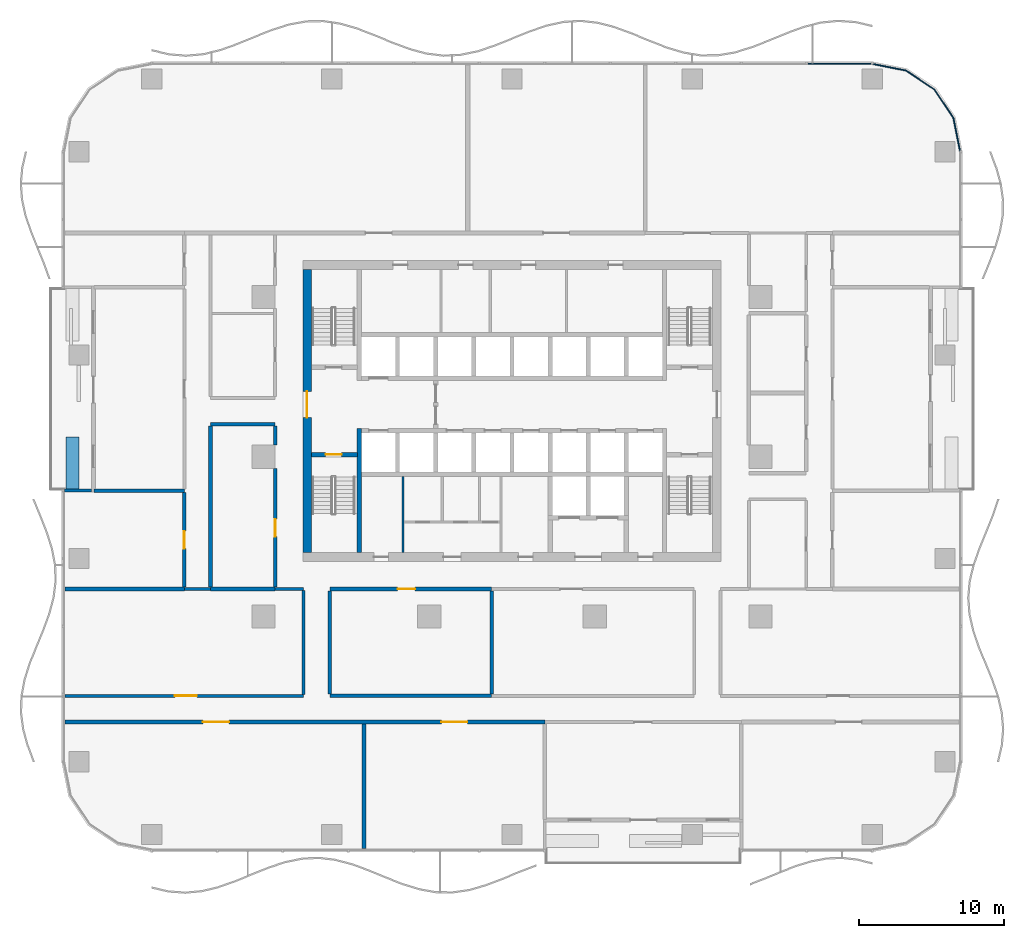
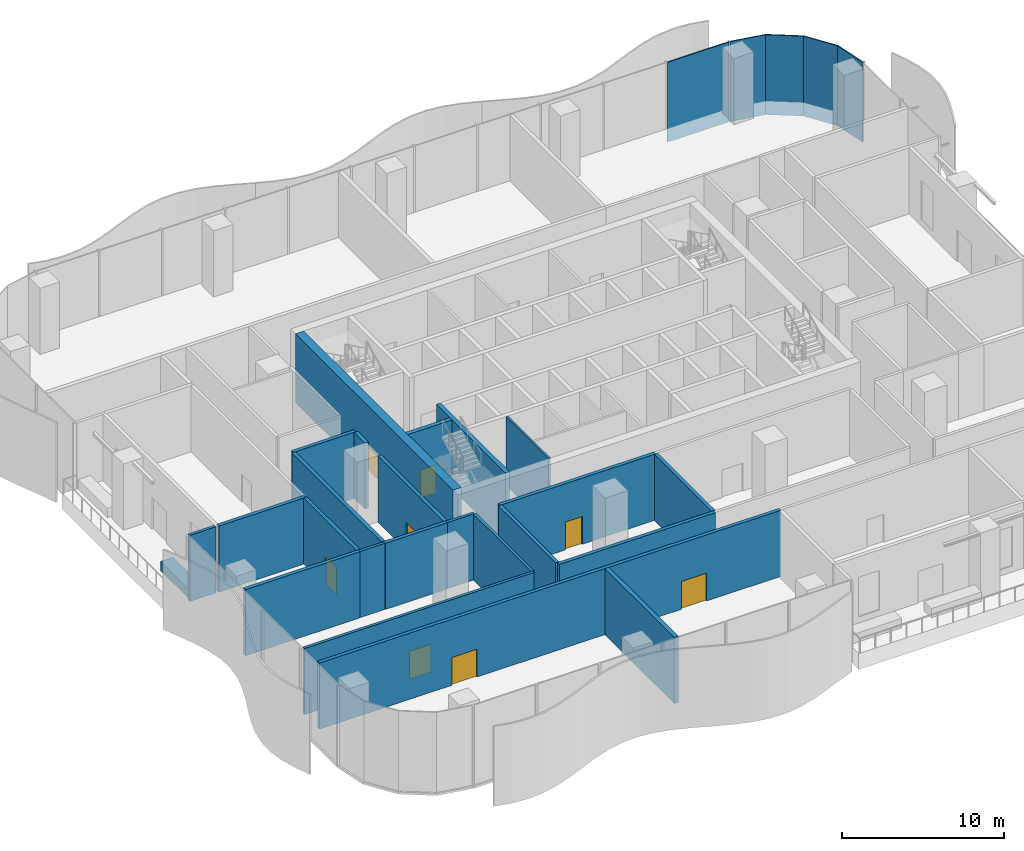
# One storey, part 7 of 21: 24 walls, 8 doors, 2 plates, 8 openings, 2 elements without a shape of their own.
"""IFC4 building model written with IfcOpenShell, lengths in metres."""

from ifc_helpers import new_model, si_unit, direction, frame, frame_2d, origin, origin_2d, place, context, subcontext, project, spatial, polyline, rectangle, outline, extrude, material, layer, layer_set, type_object, element, fill, aggregate, save


model = new_model("IFC4")

# Units and contexts
model_context = context("Model", 3, precision=1e-05, world=origin(), true_north=direction((0.0, 1.0)))
body_context = subcontext(model_context, "Body", "Model", "MODEL_VIEW")
ifc_project = project(units=[si_unit("LENGTHUNIT", "METRE"), si_unit("AREAUNIT", "SQUARE_METRE"), si_unit("VOLUMEUNIT", "CUBIC_METRE"), si_unit("PLANEANGLEUNIT", "RADIAN"), si_unit("MASSUNIT", "GRAM", prefix="KILO")], contexts=[model_context])

# Site, building, storey
site_placement = place(None, origin())
site = spatial("IfcSite", under=ifc_project, at=site_placement, CompositionType="ELEMENT")
building_placement = place(site_placement, origin())
building = spatial("IfcBuilding", under=site, at=building_placement, Name="Mopane Tessera Tower", CompositionType="ELEMENT")
storey_placement = place(building_placement, frame((0.0, 0.0, 9.0)))
storey = spatial("IfcBuildingStorey", under=building, at=storey_placement, Name="L01", CompositionType="ELEMENT", Elevation=9.0)

# Curtain wall, plate
ifc_material_1 = material(Name="Aluminium frame", Category="aluminium")
curtain_wall_type = type_object("IfcCurtainWallType", Name="Podium unitised wall", PredefinedType="NOTDEFINED", material=ifc_material_1)
curtain_wall_1_placement = place(storey_placement, origin())
curtain_wall_1 = element("IfcCurtainWall", 1, at=curtain_wall_1_placement, inside=storey, type_object=curtain_wall_type, Name="e:cw:L01:CE", PredefinedType="NOTDEFINED")
ifc_material_2 = material(Name="Limestone spandrel", Category="masonry")
ifc_layer_1 = layer(ifc_material_2, 0.080078125)
ifc_layer_set_1 = layer_set([ifc_layer_1], Name="Limestone spandrel")
plate_type = type_object("IfcPlateType", Name="Podium stone spandrel unit", PredefinedType="CURTAIN_PANEL", material=ifc_layer_set_1)
plate_1_placement = place(storey_placement, frame((0.0, 0.0, -1.0400390625)))
plate_1 = element("IfcPlate", 2, at=plate_1_placement, type_object=plate_type, Name="e:cw:L01:CE:pn", PredefinedType="CURTAIN_PANEL", context=body_context, shape_type="SweptSolid", body=[
    extrude(outline(polyline([(30.800048828125, 21.0), (30.34326171875, 23.296142578125), (29.042724609375, 25.24267578125), (27.09619140625, 26.543212890625), (24.800048828125, 27.0), (24.800048828125, 27.080078125), (27.126708984375, 26.6171875), (29.09912109375, 25.29931640625), (30.417236328125, 23.32666015625), (30.8798828125, 21.0), (30.800048828125, 21.0)])), origin(), (0.0, 0.0, 1.0), 6.0400390625),
])
aggregate(curtain_wall_1, [plate_1])

curtain_wall_2_placement = place(storey_placement, origin())
curtain_wall_2 = element("IfcCurtainWall", 3, at=curtain_wall_2_placement, inside=storey, type_object=curtain_wall_type, Name="e:cw:L01:N:0", PredefinedType="NOTDEFINED")
plate_2_placement = place(storey_placement, frame((22.54541015625, 27.0400390625, -1.0400390625), z_axis=(0.0, 0.0, 1.0), x_axis=(-1.0, 0.0, 0.0)))
plate_2 = element("IfcPlate", 4, at=plate_2_placement, type_object=plate_type, Name="e:cw:L01:N:0:pn0", PredefinedType="CURTAIN_PANEL", context=body_context, shape_type="SweptSolid", body=[
    extrude(rectangle(XDim=4.384033203125, YDim=0.080078125, at=origin_2d()), origin(), (0.0, 0.0, 1.0), 6.0400390625),
])
aggregate(curtain_wall_2, [plate_2])

# Wall
ifc_material_3 = material(Name="Fire-rated gypsum board partition")
ifc_layer_2 = layer(ifc_material_3, 0.14990234375)
ifc_layer_set_2 = layer_set([ifc_layer_2], Name="Fire-rated gypsum board partition")
wall_type_1 = type_object("IfcWallType", Name="Core room partition 150 mm", PredefinedType="PARTITIONING", material=ifc_layer_set_2)
wall_1_placement = place(storey_placement, frame((-7.5, -6.60009765625, 0.0), z_axis=(0.0, 0.0, 1.0), x_axis=(0.0, 1.0, 0.0)))
element("IfcWall", 5, at=wall_1_placement, inside=storey, type_object=wall_type_1, Name="L01 Room partition", PredefinedType="PARTITIONING", context=body_context, shape_type="SweptSolid", body=[
    extrude(rectangle(XDim=5.25, YDim=0.14990234375, at=frame_2d((2.625, 0.0))), origin(), (0.0, 0.0, 1.0), 5.199951171875),
])

# Wall, opening, door
ifc_material_4 = material(Name="Concrete C70/85", Category="concrete")
ifc_layer_3 = layer(ifc_material_4, 0.60009765625)
ifc_layer_set_3 = layer_set([ifc_layer_3], Name="Concrete C70/85")
wall_type_2 = type_object("IfcWallType", Name="Core shear wall 600 mm", PredefinedType="SHEAR", material=ifc_layer_set_3)
wall_2_placement = place(storey_placement, frame((-14.10009765625, -6.60009765625, 0.0), z_axis=(0.0, 0.0, 1.0), x_axis=(0.0, 1.0, 0.0)))
wall_2 = element("IfcWall", 6, at=wall_2_placement, inside=storey, type_object=wall_type_2, Name="L01 Core wall west", PredefinedType="SHEAR", context=body_context, shape_type="SweptSolid", body=[
    extrude(rectangle(XDim=19.5, YDim=0.60009765625, at=frame_2d((9.75, 0.0))), origin(), (0.0, 0.0, 1.0), 5.199951171875),
])
opening_1_placement = place(wall_2_placement, frame((9.300048828125, 0.0, 0.0)))
opening_1 = element("IfcOpeningElement", 7, at=opening_1_placement, cuts=wall_2, Name="Opening SD2", PredefinedType="OPENING", context=body_context, shape_type="SweptSolid", body=[
    extrude(rectangle(XDim=1.800048828125, YDim=2.10009765625, at=frame_2d((0.89990234375, 1.050048828125))), frame((0.0, 0.31201171875, 0.0), z_axis=(0.0, -1.0, 0.0), x_axis=(1.0, 0.0, 0.0)), (0.0, 0.0, 1.0), 0.6240234375),
])
ifc_material_5 = material(Name="Steel fire door", Category="steel")
door_type_1 = type_object("IfcDoorType", Name="Core entrance double door 1800 x 2100", OperationType="DOUBLE_DOOR_SINGLE_SWING", PredefinedType="DOOR", material=ifc_material_5)
door_1_placement = place(opening_1_placement, origin())
door_1 = element("IfcDoor", 8, at=door_1_placement, inside=storey, type_object=door_type_1, Name="L01 Core entrance door west", OperationType="DOUBLE_DOOR_SINGLE_SWING", OverallHeight=2.10009765625, OverallWidth=1.800048828125, PredefinedType="DOOR", context=body_context, shape_type="SweptSolid", body=[
    extrude(rectangle(XDim=1.800048828125, YDim=2.10009765625, at=frame_2d((0.89990234375, 1.050048828125))), frame((0.0, 0.02490234375, 0.0), z_axis=(0.0, -1.0, 0.0), x_axis=(1.0, 0.0, 0.0)), (0.0, 0.0, 1.0), 0.050048828125),
])
fill(opening_1, door_1)

# Wall
ifc_material_6 = material(Name="Concrete C60/75", Category="concrete")
ifc_layer_4 = layer(ifc_material_6, 0.300048828125)
ifc_layer_set_4 = layer_set([ifc_layer_4], Name="Concrete C60/75")
wall_type_3 = type_object("IfcWallType", Name="Core spine wall 300 mm", PredefinedType="SHEAR", material=ifc_layer_set_4)
wall_3_placement = place(storey_placement, frame((-10.5, -6.60009765625, 0.0), z_axis=(0.0, 0.0, 1.0), x_axis=(0.0, 1.0, 0.0)))
element("IfcWall", 9, at=wall_3_placement, inside=storey, type_object=wall_type_3, Name="L01 Core spine wall", PredefinedType="SHEAR", context=body_context, shape_type="SweptSolid", body=[
    extrude(rectangle(XDim=8.550048828125, YDim=0.300048828125, at=frame_2d((4.27490234375, 0.0))), origin(), (0.0, 0.0, 1.0), 5.199951171875),
])

# Wall, opening, door
ifc_material_7 = material(Name="Gypsum board on steel studs, two layers each face, mineral wool infill", Category="steel")
ifc_layer_5 = layer(ifc_material_7, 0.199951171875)
ifc_layer_set_5 = layer_set([ifc_layer_5], Name="Gypsum board on steel studs, two layers each face, mineral wool infill")
wall_type_4 = type_object("IfcWallType", Name="Gypsum board corridor wall 200, rated EI 60", PredefinedType="PARTITIONING", material=ifc_layer_set_5)
wall_4_placement = place(storey_placement, frame((-30.75, -16.449951171875, 0.0), z_axis=(0.0, 0.0, 1.0), x_axis=(1.0, 0.0, 0.0)))
wall_4 = element("IfcWall", 10, at=wall_4_placement, inside=storey, type_object=wall_type_4, Name="Partition L01:003", PredefinedType="PARTITIONING", context=body_context, shape_type="SweptSolid", body=[
    extrude(rectangle(XDim=16.409912109375, YDim=0.199951171875, at=frame_2d((8.205078125, 0.0))), origin(), (0.0, 0.0, 1.0), 5.0),
])
opening_2_placement = place(wall_4_placement, frame((7.554931640625, 0.0, 0.0)))
opening_2 = element("IfcOpeningElement", 11, at=opening_2_placement, cuts=wall_4, Name="Opening L01-15", PredefinedType="OPENING", context=body_context, shape_type="SweptSolid", body=[
    extrude(rectangle(XDim=1.5, YDim=2.10009765625, at=frame_2d((0.75, 1.050048828125))), frame((0.0, 0.112060546875, 0.0), z_axis=(0.0, -1.0, 0.0), x_axis=(1.0, 0.0, 0.0)), (0.0, 0.0, 1.0), 0.223876953125),
])
ifc_material_8 = material(Name="Timber veneered steel-framed fire door", Category="steel")
door_type_2 = type_object("IfcDoorType", Name="Fire door pair FD60 1500 x 2100", OperationType="DOUBLE_DOOR_SINGLE_SWING", PredefinedType="DOOR", material=ifc_material_8)
door_2_placement = place(opening_2_placement, origin())
door_2 = element("IfcDoor", 12, at=door_2_placement, inside=storey, type_object=door_type_2, Name="Door L01-15", ObjectType="D17A", OperationType="DOUBLE_DOOR_SINGLE_SWING", OverallHeight=2.10009765625, OverallWidth=1.5, PredefinedType="DOOR", context=body_context, shape_type="SweptSolid", body=[
    extrude(rectangle(XDim=1.5, YDim=2.10009765625, at=frame_2d((0.75, 1.050048828125))), frame((0.0, 0.02490234375, 0.0), z_axis=(0.0, -1.0, 0.0), x_axis=(1.0, 0.0, 0.0)), (0.0, 0.0, 1.0), 0.050048828125),
])
fill(opening_2, door_2)

# Walls
wall_5_placement = place(storey_placement, frame((-22.550048828125, -9.10009765625, 0.0), z_axis=(0.0, 0.0, 1.0), x_axis=(1.0, 0.0, 0.0)))
element("IfcWall", 13, at=wall_5_placement, inside=storey, type_object=wall_type_4, Name="Partition L01:008", PredefinedType="PARTITIONING", context=body_context, shape_type="SweptSolid", body=[
    extrude(rectangle(XDim=1.800048828125, YDim=0.199951171875, at=frame_2d((0.89990234375, 0.0))), origin(), (0.0, 0.0, 1.0), 5.0),
])
wall_6_placement = place(storey_placement, frame((-16.300048828125, -9.10009765625, 0.0), z_axis=(0.0, 0.0, 1.0), x_axis=(1.0, 0.0, 0.0)))
element("IfcWall", 14, at=wall_6_placement, inside=storey, type_object=wall_type_4, Name="Partition L01:009", PredefinedType="PARTITIONING", context=body_context, shape_type="SweptSolid", body=[
    extrude(rectangle(XDim=1.9599609375, YDim=0.199951171875, at=frame_2d((0.97998046875, 0.0))), origin(), (0.0, 0.0, 1.0), 5.0),
])
wall_7_placement = place(storey_placement, frame((-14.340087890625, -16.35009765625, 0.0), z_axis=(0.0, 0.0, 1.0), x_axis=(0.0, 1.0, 0.0)))
element("IfcWall", 15, at=wall_7_placement, inside=storey, type_object=wall_type_4, Name="Partition L01:043", PredefinedType="PARTITIONING", context=body_context, shape_type="SweptSolid", body=[
    extrude(rectangle(XDim=7.150146484375, YDim=0.199951171875, at=frame_2d((3.5751953125, 0.0))), origin(), (0.0, 0.0, 1.0), 5.0),
])

# Wall, opening, door
ifc_material_9 = material(Name="Concrete C50/60", Category="concrete")
ifc_layer_6 = layer(ifc_material_9, 0.300048828125)
ifc_layer_set_6 = layer_set([ifc_layer_6], Name="Concrete C50/60")
wall_type_5 = type_object("IfcWallType", Name="Lift and stair shaft wall 300 mm", PredefinedType="SOLIDWALL", material=ifc_layer_set_6)
wall_8_placement = place(storey_placement, frame((-13.800048828125, 0.14990234375, 0.0), z_axis=(0.0, 0.0, 1.0), x_axis=(1.0, 0.0, 0.0)))
wall_8 = element("IfcWall", 16, at=wall_8_placement, inside=storey, type_object=wall_type_5, Name="L01 Stair enclosure wall", PredefinedType="SOLIDWALL", context=body_context, shape_type="SweptSolid", body=[
    extrude(rectangle(XDim=3.150146484375, YDim=0.300048828125, at=frame_2d((1.5751953125, 0.0))), origin(), (0.0, 0.0, 1.0), 5.199951171875),
])
opening_3_placement = place(wall_8_placement, frame((0.97509765625, 0.0, 0.0)))
opening_3 = element("IfcOpeningElement", 17, at=opening_3_placement, cuts=wall_8, Name="Opening SD1", PredefinedType="OPENING", context=body_context, shape_type="SweptSolid", body=[
    extrude(rectangle(XDim=1.10009765625, YDim=2.10009765625, at=frame_2d((0.550048828125, 1.050048828125))), frame((0.0, 0.162109375, 0.0), z_axis=(0.0, -1.0, 0.0), x_axis=(1.0, 0.0, 0.0)), (0.0, 0.0, 1.0), 0.323974609375),
])
ifc_material_10 = material(Name="Steel fire door", Category="steel")
door_type_3 = type_object("IfcDoorType", Name="Stair fire door 1100 x 2100", OperationType="SINGLE_SWING_LEFT", PredefinedType="DOOR", material=ifc_material_10)
door_3_placement = place(opening_3_placement, origin())
door_3 = element("IfcDoor", 18, at=door_3_placement, inside=storey, type_object=door_type_3, Name="L01 Stair door ST1", OperationType="SINGLE_SWING_LEFT", OverallHeight=2.10009765625, OverallWidth=1.10009765625, PredefinedType="DOOR", context=body_context, shape_type="SweptSolid", body=[
    extrude(rectangle(XDim=1.10009765625, YDim=2.10009765625, at=frame_2d((0.550048828125, 1.050048828125))), frame((0.0, 0.02490234375, 0.0), z_axis=(0.0, -1.0, 0.0), x_axis=(1.0, 0.0, 0.0)), (0.0, 0.0, 1.0), 0.050048828125),
])
fill(opening_3, door_3)

# Walls
ifc_material_11 = material(Name="Reinforced concrete C32/40 with waterproofing", Category="concrete")
ifc_layer_7 = layer(ifc_material_11, 0.89990234375)
ifc_layer_set_7 = layer_set([ifc_layer_7], Name="Reinforced concrete C32/40 with waterproofing")
wall_type_6 = type_object("IfcWallType", Name="Planter trough 3600 x 900", PredefinedType="STANDARD", material=ifc_layer_set_7)
wall_9_placement = place(storey_placement, frame((-30.25, 1.36669921875, 0.0), z_axis=(0.0, 0.0, 1.0), x_axis=(0.0, -1.0, 0.0)))
element("IfcWall", 19, at=wall_9_placement, inside=storey, type_object=wall_type_6, Name="e:nw:L01:N3:pl1", PredefinedType="STANDARD", context=body_context, shape_type="SweptSolid", body=[
    extrude(rectangle(XDim=3.60009765625, YDim=0.89990234375, at=frame_2d((1.800048828125, 0.0))), origin(), (0.0, 0.0, 1.0), 0.699951171875),
])
ifc_material_12 = material(Name="Plastered concrete blockwork C20/25", Category="masonry")
ifc_layer_8 = layer(ifc_material_12, 0.300048828125)
ifc_layer_set_8 = layer_set([ifc_layer_8], Name="Plastered concrete blockwork C20/25")
wall_type_7 = type_object("IfcWallType", Name="Plastered blockwork separation wall 300, rated EI 120", PredefinedType="PARTITIONING", material=ifc_layer_set_8)
wall_10_placement = place(storey_placement, frame((-10.18505859375, -26.949951171875, 0.0), z_axis=(0.0, 0.0, 1.0), x_axis=(0.0, 1.0, 0.0)))
element("IfcWall", 20, at=wall_10_placement, inside=storey, type_object=wall_type_7, Name="Partition L01:045", PredefinedType="PARTITIONING", context=body_context, shape_type="SweptSolid", body=[
    extrude(rectangle(XDim=8.574951171875, YDim=0.300048828125, at=frame_2d((4.28759765625, 0.0))), origin(), (0.0, 0.0, 1.0), 5.0),
])

# Wall, openings, doors
ifc_material_13 = material(Name="Plastered concrete blockwork C20/25", Category="masonry")
ifc_layer_9 = layer(ifc_material_13, 0.25)
ifc_layer_set_9 = layer_set([ifc_layer_9], Name="Plastered concrete blockwork C20/25")
wall_type_8 = type_object("IfcWallType", Name="Plastered blockwork wall 250, rated EI 120", PredefinedType="PARTITIONING", material=ifc_layer_set_9)
wall_11_placement = place(storey_placement, frame((-30.75, -18.25, 0.0), z_axis=(0.0, 0.0, 1.0), x_axis=(1.0, 0.0, 0.0)))
wall_11 = element("IfcWall", 21, at=wall_11_placement, inside=storey, type_object=wall_type_8, Name="Partition L01:001", PredefinedType="PARTITIONING", context=body_context, shape_type="SweptSolid", body=[
    extrude(rectangle(XDim=33.0048828125, YDim=0.25, at=frame_2d((16.50244140625, 0.0))), origin(), (0.0, 0.0, 1.0), 5.0),
])
opening_4_placement = place(wall_11_placement, frame((9.482421875, 0.0, 0.0)))
opening_4 = element("IfcOpeningElement", 22, at=opening_4_placement, cuts=wall_11, Name="Opening L01-02", PredefinedType="OPENING", context=body_context, shape_type="SweptSolid", body=[
    extrude(rectangle(XDim=1.800048828125, YDim=2.10009765625, at=frame_2d((0.89990234375, 1.050048828125))), frame((0.0, 0.136962890625, 0.0), z_axis=(0.0, -1.0, 0.0), x_axis=(1.0, 0.0, 0.0)), (0.0, 0.0, 1.0), 0.27392578125),
])
opening_5_placement = place(wall_11_placement, frame((25.885009765625, 0.0, 0.0)))
opening_5 = element("IfcOpeningElement", 23, at=opening_5_placement, cuts=wall_11, Name="Opening L01-06", PredefinedType="OPENING", context=body_context, shape_type="SweptSolid", body=[
    extrude(rectangle(XDim=1.800048828125, YDim=2.10009765625, at=frame_2d((0.89990234375, 1.050048828125))), frame((0.0, 0.136962890625, 0.0), z_axis=(0.0, -1.0, 0.0), x_axis=(1.0, 0.0, 0.0)), (0.0, 0.0, 1.0), 0.27392578125),
])
ifc_material_14 = material(Name="Timber veneered steel-framed fire door", Category="steel")
door_type_4 = type_object("IfcDoorType", Name="Fire door pair FD120 1800 x 2100", OperationType="DOUBLE_DOOR_SINGLE_SWING", PredefinedType="DOOR", material=ifc_material_14)
door_4_placement = place(opening_4_placement, origin())
door_4 = element("IfcDoor", 24, at=door_4_placement, inside=storey, type_object=door_type_4, Name="Door L01-02", ObjectType="D20B", OperationType="DOUBLE_DOOR_SINGLE_SWING", OverallHeight=2.10009765625, OverallWidth=1.800048828125, PredefinedType="DOOR", context=body_context, shape_type="SweptSolid", body=[
    extrude(rectangle(XDim=1.800048828125, YDim=2.10009765625, at=frame_2d((0.89990234375, 1.050048828125))), frame((0.0, 0.02490234375, 0.0), z_axis=(0.0, -1.0, 0.0), x_axis=(1.0, 0.0, 0.0)), (0.0, 0.0, 1.0), 0.050048828125),
])
fill(opening_4, door_4)
door_5_placement = place(opening_5_placement, origin())
door_5 = element("IfcDoor", 25, at=door_5_placement, inside=storey, type_object=door_type_4, Name="Door L01-06", ObjectType="D20B", OperationType="DOUBLE_DOOR_SINGLE_SWING", OverallHeight=2.10009765625, OverallWidth=1.800048828125, PredefinedType="DOOR", context=body_context, shape_type="SweptSolid", body=[
    extrude(rectangle(XDim=1.800048828125, YDim=2.10009765625, at=frame_2d((0.89990234375, 1.050048828125))), frame((0.0, 0.02490234375, 0.0), z_axis=(0.0, -1.0, 0.0), x_axis=(1.0, 0.0, 0.0)), (0.0, 0.0, 1.0), 0.050048828125),
])
fill(opening_5, door_5)

# Walls
wall_12_placement = place(storey_placement, frame((-12.5400390625, -16.449951171875, 0.0), z_axis=(0.0, 0.0, 1.0), x_axis=(1.0, 0.0, 0.0)))
element("IfcWall", 26, at=wall_12_placement, inside=storey, type_object=wall_type_8, Name="Partition L01:006", PredefinedType="PARTITIONING", context=body_context, shape_type="SweptSolid", body=[
    extrude(rectangle(XDim=11.14501953125, YDim=0.25, at=frame_2d((5.572509765625, 0.0))), origin(), (0.0, 0.0, 1.0), 5.0),
])
wall_13_placement = place(storey_placement, frame((-30.75, -9.10009765625, 0.0), z_axis=(0.0, 0.0, 1.0), x_axis=(1.0, 0.0, 0.0)))
element("IfcWall", 27, at=wall_13_placement, inside=storey, type_object=wall_type_8, Name="Partition L01:013", PredefinedType="PARTITIONING", context=body_context, shape_type="SweptSolid", body=[
    extrude(rectangle(XDim=8.199951171875, YDim=0.25, at=frame_2d((4.10009765625, 0.0))), origin(), (0.0, 0.0, 1.0), 5.0),
])
wall_14_placement = place(storey_placement, frame((-20.75, -9.10009765625, 0.0), z_axis=(0.0, 0.0, 1.0), x_axis=(1.0, 0.0, 0.0)))
element("IfcWall", 28, at=wall_14_placement, inside=storey, type_object=wall_type_8, Name="Partition L01:014", PredefinedType="PARTITIONING", context=body_context, shape_type="SweptSolid", body=[
    extrude(rectangle(XDim=4.449951171875, YDim=0.25, at=frame_2d((2.22509765625, 0.0))), origin(), (0.0, 0.0, 1.0), 5.0),
])

# Wall, opening, door
wall_15_placement = place(storey_placement, frame((-12.5400390625, -9.10009765625, 0.0), z_axis=(0.0, 0.0, 1.0), x_axis=(1.0, 0.0, 0.0)))
wall_15 = element("IfcWall", 29, at=wall_15_placement, inside=storey, type_object=wall_type_8, Name="Partition L01:015", PredefinedType="PARTITIONING", context=body_context, shape_type="SweptSolid", body=[
    extrude(rectangle(XDim=11.14501953125, YDim=0.25, at=frame_2d((5.572509765625, 0.0))), origin(), (0.0, 0.0, 1.0), 5.0),
])
opening_6_placement = place(wall_15_placement, frame((4.672607421875, 0.0, 0.0)))
opening_6 = element("IfcOpeningElement", 30, at=opening_6_placement, cuts=wall_15, Name="Opening L01-11", PredefinedType="OPENING", context=body_context, shape_type="SweptSolid", body=[
    extrude(rectangle(XDim=1.199951171875, YDim=2.10009765625, at=frame_2d((0.60009765625, 1.050048828125))), frame((0.0, 0.136962890625, 0.0), z_axis=(0.0, -1.0, 0.0), x_axis=(1.0, 0.0, 0.0)), (0.0, 0.0, 1.0), 0.27392578125),
])
ifc_material_15 = material(Name="Timber veneered steel-framed fire door", Category="steel")
door_type_5 = type_object("IfcDoorType", Name="Fire door FD120 1200 x 2100", OperationType="SINGLE_SWING_LEFT", PredefinedType="DOOR", material=ifc_material_15)
door_6_placement = place(opening_6_placement, origin())
door_6 = element("IfcDoor", 31, at=door_6_placement, inside=storey, type_object=door_type_5, Name="Door L01-11", ObjectType="D15B", OperationType="SINGLE_SWING_RIGHT", OverallHeight=2.10009765625, OverallWidth=1.199951171875, PredefinedType="DOOR", context=body_context, shape_type="SweptSolid", body=[
    extrude(rectangle(XDim=1.199951171875, YDim=2.10009765625, at=frame_2d((0.60009765625, 1.050048828125))), frame((0.0, 0.02490234375, 0.0), z_axis=(0.0, -1.0, 0.0), x_axis=(1.0, 0.0, 0.0)), (0.0, 0.0, 1.0), 0.050048828125),
])
fill(opening_6, door_6)

# Walls
wall_16_placement = place(storey_placement, frame((-28.75, -2.3349609375, 0.0), z_axis=(0.0, 0.0, 1.0), x_axis=(1.0, 0.0, 0.0)))
element("IfcWall", 32, at=wall_16_placement, inside=storey, type_object=wall_type_8, Name="Partition L01:018", PredefinedType="PARTITIONING", context=body_context, shape_type="SweptSolid", body=[
    extrude(rectangle(XDim=6.199951171875, YDim=0.25, at=frame_2d((3.10009765625, 0.0))), origin(), (0.0, 0.0, 1.0), 5.0),
])
wall_17_placement = place(storey_placement, frame((-20.75, 2.25, 0.0), z_axis=(0.0, 0.0, 1.0), x_axis=(1.0, 0.0, 0.0)))
element("IfcWall", 33, at=wall_17_placement, inside=storey, type_object=wall_type_8, Name="Partition L01:021", PredefinedType="PARTITIONING", context=body_context, shape_type="SweptSolid", body=[
    extrude(rectangle(XDim=4.449951171875, YDim=0.25, at=frame_2d((2.22509765625, 0.0))), origin(), (0.0, 0.0, 1.0), 5.0),
])

# Wall, opening, door
wall_18_placement = place(storey_placement, frame((-22.550048828125, -8.97509765625, 0.0), z_axis=(0.0, 0.0, 1.0), x_axis=(0.0, 1.0, 0.0)))
wall_18 = element("IfcWall", 34, at=wall_18_placement, inside=storey, type_object=wall_type_8, Name="Partition L01:035", PredefinedType="PARTITIONING", context=body_context, shape_type="SweptSolid", body=[
    extrude(rectangle(XDim=6.51513671875, YDim=0.25, at=frame_2d((3.257568359375, 0.0))), origin(), (0.0, 0.0, 1.0), 5.0),
])
opening_7_placement = place(wall_18_placement, frame((2.657470703125, 0.0, 0.0)))
opening_7 = element("IfcOpeningElement", 35, at=opening_7_placement, cuts=wall_18, Name="Opening L01-05", PredefinedType="OPENING", context=body_context, shape_type="SweptSolid", body=[
    extrude(rectangle(XDim=1.199951171875, YDim=2.10009765625, at=frame_2d((0.60009765625, 1.050048828125))), frame((0.0, 0.136962890625, 0.0), z_axis=(0.0, -1.0, 0.0), x_axis=(1.0, 0.0, 0.0)), (0.0, 0.0, 1.0), 0.27392578125),
])
door_7_placement = place(opening_7_placement, origin())
door_7 = element("IfcDoor", 36, at=door_7_placement, inside=storey, type_object=door_type_5, Name="Door L01-05", ObjectType="D15B", OperationType="SINGLE_SWING_LEFT", OverallHeight=2.10009765625, OverallWidth=1.199951171875, PredefinedType="DOOR", context=body_context, shape_type="SweptSolid", body=[
    extrude(rectangle(XDim=1.199951171875, YDim=2.10009765625, at=frame_2d((0.60009765625, 1.050048828125))), frame((0.0, 0.02490234375, 0.0), z_axis=(0.0, -1.0, 0.0), x_axis=(1.0, 0.0, 0.0)), (0.0, 0.0, 1.0), 0.050048828125),
])
fill(opening_7, door_7)

# Wall
wall_19_placement = place(storey_placement, frame((-20.75, -8.97509765625, 0.0), z_axis=(0.0, 0.0, 1.0), x_axis=(0.0, 1.0, 0.0)))
element("IfcWall", 37, at=wall_19_placement, inside=storey, type_object=wall_type_8, Name="Partition L01:038", PredefinedType="PARTITIONING", context=body_context, shape_type="SweptSolid", body=[
    extrude(rectangle(XDim=11.10009765625, YDim=0.25, at=frame_2d((5.550048828125, 0.0))), origin(), (0.0, 0.0, 1.0), 5.0),
])

# Wall, opening, door
wall_20_placement = place(storey_placement, frame((-16.300048828125, -8.97509765625, 0.0), z_axis=(0.0, 0.0, 1.0), x_axis=(0.0, 1.0, 0.0)))
wall_20 = element("IfcWall", 38, at=wall_20_placement, inside=storey, type_object=wall_type_8, Name="Partition L01:041", PredefinedType="PARTITIONING", context=body_context, shape_type="SweptSolid", body=[
    extrude(rectangle(XDim=8.175048828125, YDim=0.25, at=frame_2d((4.08740234375, 0.0))), origin(), (0.0, 0.0, 1.0), 5.0),
])
opening_8_placement = place(wall_20_placement, frame((3.487548828125, 0.0, 0.0)))
opening_8 = element("IfcOpeningElement", 39, at=opening_8_placement, cuts=wall_20, Name="Opening L01-10", PredefinedType="OPENING", context=body_context, shape_type="SweptSolid", body=[
    extrude(rectangle(XDim=1.199951171875, YDim=2.10009765625, at=frame_2d((0.60009765625, 1.050048828125))), frame((0.0, 0.136962890625, 0.0), z_axis=(0.0, -1.0, 0.0), x_axis=(1.0, 0.0, 0.0)), (0.0, 0.0, 1.0), 0.27392578125),
])
door_8_placement = place(opening_8_placement, origin())
door_8 = element("IfcDoor", 40, at=door_8_placement, inside=storey, type_object=door_type_5, Name="Door L01-10", ObjectType="D15B", OperationType="SINGLE_SWING_RIGHT", OverallHeight=2.10009765625, OverallWidth=1.199951171875, PredefinedType="DOOR", context=body_context, shape_type="SweptSolid", body=[
    extrude(rectangle(XDim=1.199951171875, YDim=2.10009765625, at=frame_2d((0.60009765625, 1.050048828125))), frame((0.0, 0.02490234375, 0.0), z_axis=(0.0, -1.0, 0.0), x_axis=(1.0, 0.0, 0.0)), (0.0, 0.0, 1.0), 0.050048828125),
])
fill(opening_8, door_8)

# Walls
wall_21_placement = place(storey_placement, frame((-16.300048828125, 0.800048828125, 0.0), z_axis=(0.0, 0.0, 1.0), x_axis=(0.0, 1.0, 0.0)))
element("IfcWall", 41, at=wall_21_placement, inside=storey, type_object=wall_type_8, Name="Partition L01:042", PredefinedType="PARTITIONING", context=body_context, shape_type="SweptSolid", body=[
    extrude(rectangle(XDim=1.324951171875, YDim=0.25, at=frame_2d((0.66259765625, 0.0))), origin(), (0.0, 0.0, 1.0), 5.0),
])
for number, where, z_axis, x_axis, name in (
    (42, (-12.5400390625, -16.324951171875, 0.0), (0.0, 0.0, 1.0), (0.0, 1.0, 0.0), "Partition L01:044"),
    (43, (-1.39501953125, -16.324951171875, 0.0), (0.0, 0.0, 1.0), (0.0, 1.0, 0.0), "Partition L01:047"),
):
    element("IfcWall", number, at=place(storey_placement, frame(where, z_axis=z_axis, x_axis=x_axis)), inside=storey, type_object=wall_type_8, Name=name, PredefinedType="PARTITIONING", context=body_context, shape_type="SweptSolid", body=[
        extrude(rectangle(XDim=7.099853515625, YDim=0.25, at=frame_2d((3.5498046875, 0.0))), origin(), (0.0, 0.0, 1.0), 5.0),
    ])
ifc_material_16 = material(Name="Blockwork with glazed tile facing", Category="masonry")
ifc_layer_10 = layer(ifc_material_16, 0.199951171875)
ifc_layer_set_10 = layer_set([ifc_layer_10], Name="Blockwork with glazed tile facing")
wall_type_9 = type_object("IfcWallType", Name="Terrace cheek wall 200", PredefinedType="STANDARD", material=ifc_layer_set_10)
wall_22_placement = place(storey_placement, frame((-30.800048828125, -2.333251953125, 0.0), z_axis=(0.0, 0.0, 1.0), x_axis=(1.0, 0.0, 0.0)))
element("IfcWall", 44, at=wall_22_placement, inside=storey, type_object=wall_type_9, Name="e:nw:L01:N3:cheekb", PredefinedType="STANDARD", context=body_context, shape_type="SweptSolid", body=[
    extrude(rectangle(XDim=1.875, YDim=0.199951171875, at=frame_2d((0.9375, 0.0))), origin(), (0.0, 0.0, 1.0), 5.0),
])

save(model, "model.ifc")
